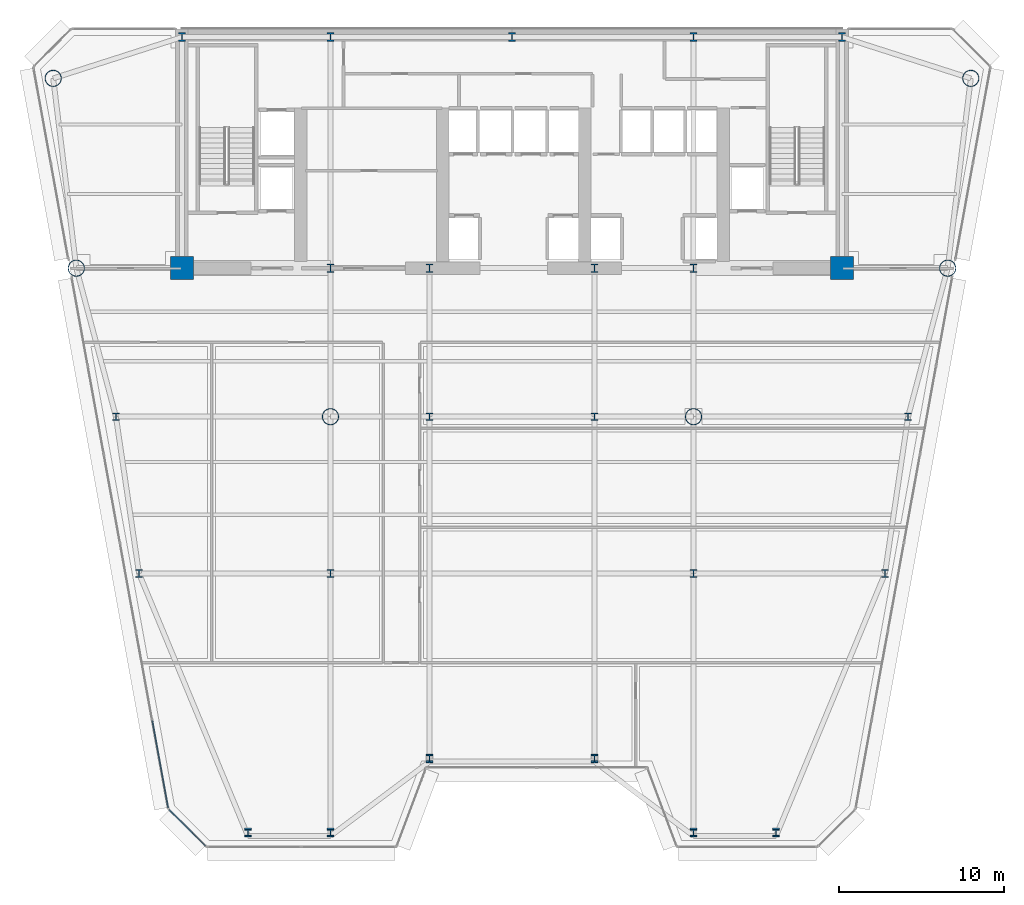
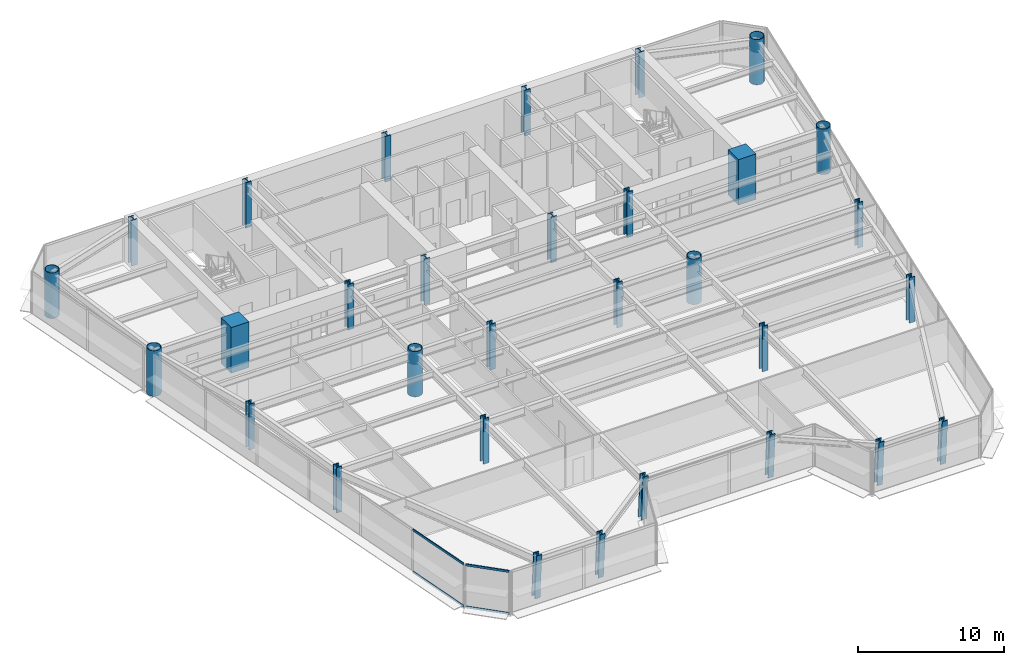
# One storey, part 1 of 14: 31 columns, 4 members, 2 elements without a shape of their own.
"""IFC4 building model written with IfcOpenShell, lengths in metres."""

from ifc_helpers import new_model, si_unit, direction, frame, origin, origin_2d, place, context, subcontext, project, spatial, rectangle, hollow_circle, i_section, extrude, source, transform, mapped, material, layer, layer_set, material_profile, profile_set, type_object, element, aggregate, save


model = new_model("IFC4")

# Units and contexts
model_context = context("Model", 3, precision=1e-05, world=origin(), true_north=direction((0.0, 1.0)))
body_context = subcontext(model_context, "Body", "Model", "MODEL_VIEW")
ifc_project = project(units=[si_unit("LENGTHUNIT", "METRE"), si_unit("AREAUNIT", "SQUARE_METRE"), si_unit("VOLUMEUNIT", "CUBIC_METRE"), si_unit("PLANEANGLEUNIT", "RADIAN"), si_unit("MASSUNIT", "GRAM", prefix="KILO")], contexts=[model_context])

# Site, building, storey
site_placement = place(None, origin())
site = spatial("IfcSite", under=ifc_project, at=site_placement, CompositionType="ELEMENT")
building_placement = place(site_placement, origin())
building = spatial("IfcBuilding", under=site, at=building_placement, Name="Vaeldorn Concourse Tower", CompositionType="ELEMENT")
storey_placement = place(building_placement, frame((0.0, 0.0, 122.39990234375)))
storey = spatial("IfcBuildingStorey", under=building, at=storey_placement, Name="L31", CompositionType="ELEMENT", Elevation=122.39990234375)

# Columns
ifc_material_1 = material(Name="Concrete C60/75", Category="concrete")
ifc_material_profile_1 = material_profile(ifc_material_1, rectangle(XDim=1.39990234375, YDim=1.39990234375, at=origin_2d()), Name="RC 1400x1400")
ifc_profile_set_1 = profile_set([ifc_material_profile_1], Name="Concrete C60/75")
column_type_1 = type_object("IfcColumnType", Name="COL-RC1400", PredefinedType="COLUMN", material=ifc_profile_set_1)
shared_shape_1 = source(origin(), body_context, "Body", "SweptSolid", [
    extrude(rectangle(XDim=1.39990234375, YDim=1.39990234375, at=origin_2d()), origin(), (0.0, 0.0, 1.0), 3.800048828125),
])
for number, where, z_axis, x_axis, name in (
    (1, (14.0, 36.5, 0.0), (0.0, 0.0, 1.0), (1.0, 0.0, 0.0), "Column C-FC1 L31"),
    (2, (54.0, 36.5, 0.0), (0.0, 0.0, 1.0), (1.0, 0.0, 0.0), "Column C-FC6 L31"),
):
    element("IfcColumn", number, at=place(storey_placement, frame(where, z_axis=z_axis, x_axis=x_axis)), inside=storey, type_object=column_type_1, Name=name, PredefinedType="COLUMN", context=body_context, shape_type="MappedRepresentation", body=[
        mapped(shared_shape_1, transform((0.0, 0.0, 0.0), scale=1.0)),
    ])
ifc_material_2 = material(Name="Steel S460", Category="steel")
ifc_material_profile_2 = material_profile(ifc_material_2, i_section(OverallWidth=0.44189453125, OverallDepth=0.531005859375, WebThickness=0.06494140625, FlangeThickness=0.075927734375, FilletRadius=0.014892578125, at=origin_2d()), Name="HD 400x900")
ifc_profile_set_2 = profile_set([ifc_material_profile_2], Name="Steel S460")
column_type_2 = type_object("IfcColumnType", Name="COL-HD900", PredefinedType="COLUMN", material=ifc_profile_set_2)
shared_shape_2 = source(origin(), body_context, "Body", "SweptSolid", [
    extrude(i_section(OverallWidth=0.44189453125, OverallDepth=0.531005859375, WebThickness=0.06494140625, FlangeThickness=0.075927734375, FilletRadius=0.014892578125, at=origin_2d()), origin(), (0.0, 0.0, 1.0), 3.800048828125),
])
for number, where, z_axis, x_axis, name in (
    (3, (23.0, 36.5, 0.0), (0.0, 0.0, 1.0), (1.0, 0.0, 0.0), "Column C-FC2 L31"),
    (4, (29.0, 36.5, 0.0), (0.0, 0.0, 1.0), (1.0, 0.0, 0.0), "Column C-FC3 L31"),
    (5, (39.0, 36.5, 0.0), (0.0, 0.0, 1.0), (1.0, 0.0, 0.0), "Column C-FC4 L31"),
    (6, (45.0, 36.5, 0.0), (0.0, 0.0, 1.0), (1.0, 0.0, 0.0), "Column C-FC5 L31"),
    (7, (14.0, 50.5, 0.0), (0.0, 0.0, 1.0), (1.0, 0.0, 0.0), "Column C-HC1 L31"),
    (8, (23.0, 50.5, 0.0), (0.0, 0.0, 1.0), (1.0, 0.0, 0.0), "Column C-HC2 L31"),
    (9, (34.0, 50.5, 0.0), (0.0, 0.0, 1.0), (1.0, 0.0, 0.0), "Column C-HC3 L31"),
    (10, (45.0, 50.5, 0.0), (0.0, 0.0, 1.0), (1.0, 0.0, 0.0), "Column C-HC4 L31"),
    (11, (54.0, 50.5, 0.0), (0.0, 0.0, 1.0), (1.0, 0.0, 0.0), "Column C-HC5 L31"),
):
    element("IfcColumn", number, at=place(storey_placement, frame(where, z_axis=z_axis, x_axis=x_axis)), inside=storey, type_object=column_type_2, Name=name, PredefinedType="COLUMN", context=body_context, shape_type="MappedRepresentation", body=[
        mapped(shared_shape_2, transform((0.0, 0.0, 0.0), scale=1.0)),
    ])
ifc_material_profile_3 = material_profile(ifc_material_2, hollow_circle(Radius=0.508056640625, WallThickness=0.044921875, at=origin_2d()), Name="CHS 1016x45")
ifc_profile_set_3 = profile_set([ifc_material_profile_3], Name="Steel S460")
column_type_3 = type_object("IfcColumnType", Name="COL-CHS1016", PredefinedType="COLUMN", material=ifc_profile_set_3)
shared_shape_3 = source(origin(), body_context, "Body", "SweptSolid", [
    extrude(hollow_circle(Radius=0.508056640625, WallThickness=0.044921875, at=origin_2d()), origin(), (0.0, 0.0, 1.0), 3.800048828125),
])
for number, where, z_axis, x_axis, name in (
    (12, (6.199951171875, 48.0, 0.0), (0.0, 0.0, 1.0), (1.0, 0.0, 0.0), "Column C-NW1 L31"),
    (13, (7.60009765625, 36.5, 0.0), (0.0, 0.0, 1.0), (1.0, 0.0, 0.0), "Column C-NW2 L31"),
    (14, (61.800048828125, 48.0, 0.0), (0.0, 0.0, 1.0), (1.0, 0.0, 0.0), "Column C-NE1 L31"),
    (15, (60.39990234375, 36.5, 0.0), (0.0, 0.0, 1.0), (1.0, 0.0, 0.0), "Column C-NE2 L31"),
    (16, (23.0, 27.5, 0.0), (0.0, 0.0, 1.0), (1.0, 0.0, 0.0), "Column C-TW1 L31"),
    (17, (45.0, 27.5, 0.0), (0.0, 0.0, 1.0), (1.0, 0.0, 0.0), "Column C-TW4 L31"),
):
    element("IfcColumn", number, at=place(storey_placement, frame(where, z_axis=z_axis, x_axis=x_axis)), inside=storey, type_object=column_type_3, Name=name, PredefinedType="COLUMN", context=body_context, shape_type="MappedRepresentation", body=[
        mapped(shared_shape_3, transform((0.0, 0.0, 0.0), scale=1.0)),
    ])
ifc_material_profile_4 = material_profile(ifc_material_2, i_section(OverallWidth=0.424072265625, OverallDepth=0.47412109375, WebThickness=0.047119140625, FlangeThickness=0.06494140625, FilletRadius=0.014892578125, at=origin_2d()), Name="HD 400x634")
ifc_profile_set_4 = profile_set([ifc_material_profile_4], Name="Steel S460")
column_type_4 = type_object("IfcColumnType", Name="COL-HD634F", PredefinedType="COLUMN", material=ifc_profile_set_4)
shared_shape_4 = source(origin(), body_context, "Body", "SweptSolid", [
    extrude(i_section(OverallWidth=0.424072265625, OverallDepth=0.47412109375, WebThickness=0.047119140625, FlangeThickness=0.06494140625, FilletRadius=0.014892578125, at=origin_2d()), origin(), (0.0, 0.0, 1.0), 3.800048828125),
])
for number, where, z_axis, x_axis, name in (
    (18, (10.0, 27.5, 0.0), (0.0, 0.0, 1.0), (1.0, 0.0, 0.0), "Column C-FLW1 L31"),
    (19, (11.39990234375, 18.0, 0.0), (0.0, 0.0, 1.0), (1.0, 0.0, 0.0), "Column C-FLW2 L31"),
    (20, (58.0, 27.5, 0.0), (0.0, 0.0, 1.0), (1.0, 0.0, 0.0), "Column C-FLE1 L31"),
    (21, (56.60009765625, 18.0, 0.0), (0.0, 0.0, 1.0), (1.0, 0.0, 0.0), "Column C-FLE2 L31"),
):
    element("IfcColumn", number, at=place(storey_placement, frame(where, z_axis=z_axis, x_axis=x_axis)), inside=storey, type_object=column_type_4, Name=name, PredefinedType="COLUMN", context=body_context, shape_type="MappedRepresentation", body=[
        mapped(shared_shape_4, transform((0.0, 0.0, 0.0), scale=1.0)),
    ])
ifc_material_profile_5 = material_profile(ifc_material_2, i_section(OverallWidth=0.424072265625, OverallDepth=0.47412109375, WebThickness=0.047119140625, FlangeThickness=0.06494140625, FilletRadius=0.014892578125, at=origin_2d()), Name="HD 400x634")
ifc_profile_set_5 = profile_set([ifc_material_profile_5], Name="Steel S460")
column_type_5 = type_object("IfcColumnType", Name="COL-HD634T", PredefinedType="COLUMN", material=ifc_profile_set_5)
shared_shape_5 = source(origin(), body_context, "Body", "SweptSolid", [
    extrude(i_section(OverallWidth=0.424072265625, OverallDepth=0.47412109375, WebThickness=0.047119140625, FlangeThickness=0.06494140625, FilletRadius=0.014892578125, at=origin_2d()), origin(), (0.0, 0.0, 1.0), 3.800048828125),
])
for number, where, z_axis, x_axis, name in (
    (22, (29.0, 27.5, 0.0), (0.0, 0.0, 1.0), (1.0, 0.0, 0.0), "Column C-TW2 L31"),
    (23, (39.0, 27.5, 0.0), (0.0, 0.0, 1.0), (1.0, 0.0, 0.0), "Column C-TW3 L31"),
    (24, (23.0, 18.0, 0.0), (0.0, 0.0, 1.0), (1.0, 0.0, 0.0), "Column C-TW5 L31"),
    (25, (45.0, 18.0, 0.0), (0.0, 0.0, 1.0), (1.0, 0.0, 0.0), "Column C-TW6 L31"),
):
    element("IfcColumn", number, at=place(storey_placement, frame(where, z_axis=z_axis, x_axis=x_axis)), inside=storey, type_object=column_type_5, Name=name, PredefinedType="COLUMN", context=body_context, shape_type="MappedRepresentation", body=[
        mapped(shared_shape_5, transform((0.0, 0.0, 0.0), scale=1.0)),
    ])
shared_shape_6 = source(origin(), body_context, "Body", "SweptSolid", [
    extrude(i_section(OverallWidth=0.424072265625, OverallDepth=0.47412109375, WebThickness=0.047119140625, FlangeThickness=0.06494140625, FilletRadius=0.014892578125, at=origin_2d()), origin(), (0.0, 0.0, 1.0), 3.74365234375),
])
for number, where, z_axis, x_axis, name in (
    (26, (18.0, 2.33447265625, 0.031982421875), (0.0, -0.063843869911, 0.997959899132), (1.0, 0.0, 0.0), "Column C-SF1 L31"),
    (27, (23.0, 2.33447265625, 0.031982421875), (0.0, -0.063843869911, 0.997959899132), (1.0, 0.0, 0.0), "Column C-SF2 L31"),
    (28, (29.0, 6.83447265625, 0.031982421875), (0.0, -0.063843869911, 0.997959899132), (1.0, 0.0, 0.0), "Column C-SF3 L31"),
    (29, (39.0, 6.83447265625, 0.031982421875), (0.0, -0.063843869911, 0.997959899132), (1.0, 0.0, 0.0), "Column C-SF4 L31"),
    (30, (45.0, 2.33447265625, 0.031982421875), (0.0, -0.063843869911, 0.997959899132), (1.0, 0.0, 0.0), "Column C-SF5 L31"),
    (31, (50.0, 2.33447265625, 0.031982421875), (0.0, -0.063843869911, 0.997959899132), (1.0, 0.0, 0.0), "Column C-SF6 L31"),
):
    element("IfcColumn", number, at=place(storey_placement, frame(where, z_axis=z_axis, x_axis=x_axis)), inside=storey, type_object=column_type_5, Name=name, PredefinedType="COLUMN", context=body_context, shape_type="MappedRepresentation", body=[
        mapped(shared_shape_6, transform((0.0, 0.0, 0.0), scale=1.0)),
    ])

# Curtain wall, members
ifc_material_3 = material(Name="Anodised Bronze Aluminium", Category="aluminium")
ifc_layer = layer(ifc_material_3, 0.199951171875)
ifc_layer_set = layer_set([ifc_layer], Name="Anodised Bronze Aluminium")
curtain_wall_type = type_object("IfcCurtainWallType", Name="CW-SYS-02", PredefinedType="NOTDEFINED", material=ifc_layer_set)
curtain_wall_1_placement = place(storey_placement, origin())
curtain_wall_1 = element("IfcCurtainWall", 32, at=curtain_wall_1_placement, inside=storey, type_object=curtain_wall_type, Name="Unitised Curtain Wall CW-L31-E12-1", PredefinedType="NOTDEFINED")
ifc_material_profile_6 = material_profile(ifc_material_3, rectangle(XDim=0.074951171875, YDim=0.179931640625, at=origin_2d()), Name="CWT 75x180")
ifc_profile_set_6 = profile_set([ifc_material_profile_6], Name="Anodised Bronze Aluminium")
member_type = type_object("IfcMemberType", Name="CWT-BRONZE-180", PredefinedType="USERDEFINED", material=ifc_profile_set_6)
shared_shape_7 = source(origin(), body_context, "Body", "SweptSolid", [
    extrude(rectangle(XDim=0.074951171875, YDim=0.179931640625, at=origin_2d()), origin(), (0.0, 0.0, 1.0), 3.1025390625),
])
member_1_placement = place(storey_placement, frame((13.2314453125, 3.681396484375, 0.03759765625), z_axis=(0.707106781187, -0.707106781187, 0.0), x_axis=(0.707106781187, 0.707106781187, 0.0)))
member_1 = element("IfcMember", 33, at=member_1_placement, type_object=member_type, Name="CW-02 transom 1.1", ObjectType="TRANSOM", PredefinedType="USERDEFINED", context=body_context, shape_type="MappedRepresentation", body=[
    mapped(shared_shape_7, transform((0.0, 0.0, 0.0), scale=1.0)),
])
member_2_placement = place(storey_placement, frame((13.2314453125, 3.681396484375, 3.54248046875), z_axis=(0.707106781187, -0.707106781187, 0.0), x_axis=(0.707106781187, 0.707106781187, 0.0)))
member_2 = element("IfcMember", 34, at=member_2_placement, type_object=member_type, Name="CW-02 transom 1.2", ObjectType="TRANSOM", PredefinedType="USERDEFINED", context=body_context, shape_type="MappedRepresentation", body=[
    mapped(shared_shape_7, transform((0.0, 0.0, 0.0), scale=1.0)),
])
aggregate(curtain_wall_1, [member_1, member_2])

curtain_wall_2_placement = place(storey_placement, origin())
curtain_wall_2 = element("IfcCurtainWall", 35, at=curtain_wall_2_placement, inside=storey, type_object=curtain_wall_type, Name="Unitised Curtain Wall CW-L31-E11-2", PredefinedType="NOTDEFINED")
shared_shape_8 = source(origin(), body_context, "Body", "SweptSolid", [
    extrude(rectangle(XDim=0.074951171875, YDim=0.179931640625, at=origin_2d()), origin(), (0.0, 0.0, 1.0), 5.350341796875),
])
member_3_placement = place(storey_placement, frame((12.20751953125, 9.072265625, 0.03759765625), z_axis=(0.178921578322, -0.983863338483, 0.0), x_axis=(0.983863338483, 0.178921578322, 0.0)))
member_3 = element("IfcMember", 36, at=member_3_placement, type_object=member_type, Name="CW-02 transom 6.1", ObjectType="TRANSOM", PredefinedType="USERDEFINED", context=body_context, shape_type="MappedRepresentation", body=[
    mapped(shared_shape_8, transform((0.0, 0.0, 0.0), scale=1.0)),
])
member_4_placement = place(storey_placement, frame((12.20751953125, 9.072265625, 3.54248046875), z_axis=(0.178921578322, -0.983863338483, 0.0), x_axis=(0.983863338483, 0.178921578322, 0.0)))
member_4 = element("IfcMember", 37, at=member_4_placement, type_object=member_type, Name="CW-02 transom 6.2", ObjectType="TRANSOM", PredefinedType="USERDEFINED", context=body_context, shape_type="MappedRepresentation", body=[
    mapped(shared_shape_8, transform((0.0, 0.0, 0.0), scale=1.0)),
])
aggregate(curtain_wall_2, [member_3, member_4])

save(model, "model.ifc")
